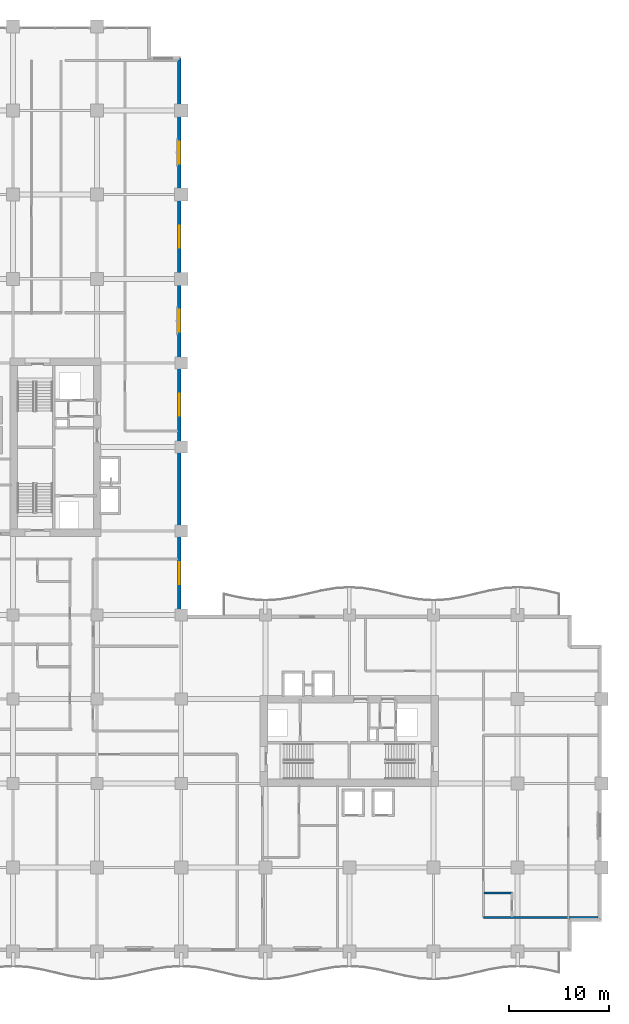
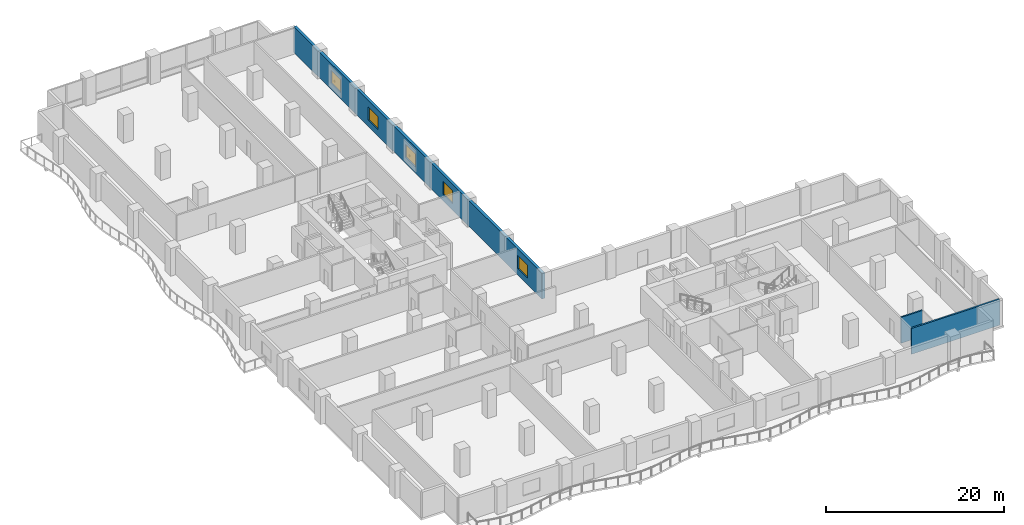
# One storey, part 12 of 22: 5 windows, 3 walls, 5 openings.
"""IFC4 building model written with IfcOpenShell, lengths in metres."""

from ifc_helpers import new_model, si_unit, direction, frame, frame_2d, origin, place, context, subcontext, project, spatial, rectangle, extrude, material, layer, layer_set, type_object, element, fill, save


model = new_model("IFC4")

# Units and contexts
model_context = context("Model", 3, precision=1e-05, world=origin(), true_north=direction((0.0, 1.0)))
body_context = subcontext(model_context, "Body", "Model", "MODEL_VIEW")
ifc_project = project(units=[si_unit("LENGTHUNIT", "METRE"), si_unit("AREAUNIT", "SQUARE_METRE"), si_unit("VOLUMEUNIT", "CUBIC_METRE"), si_unit("PLANEANGLEUNIT", "RADIAN"), si_unit("MASSUNIT", "GRAM", prefix="KILO")], contexts=[model_context])

# Site, building, storey
site_placement = place(None, origin())
site = spatial("IfcSite", under=ifc_project, at=site_placement, CompositionType="ELEMENT")
building_placement = place(site_placement, origin())
building = spatial("IfcBuilding", under=site, at=building_placement, Name="Koriwani Terraces Tower", CompositionType="ELEMENT")
storey_placement = place(building_placement, frame((0.0, 0.0, 141.800048828125)))
storey = spatial("IfcBuildingStorey", under=building, at=storey_placement, Name="L34", CompositionType="ELEMENT", Elevation=141.800048828125)

# Wall
ifc_material_1 = material(Name="Autoclaved Cellular Concrete Blockwork", Category="masonry")
ifc_layer_1 = layer(ifc_material_1, 0.219970703125, Name="Autoclaved Cellular Concrete Blockwork")
ifc_layer_set_1 = layer_set([ifc_layer_1], Name="Autoclaved Cellular Concrete Blockwork")
wall_type_1 = type_object("IfcWallType", Name="WALL_DEMISING_220", PredefinedType="PARTITIONING", material=ifc_layer_set_1)
wall_1_placement = place(storey_placement, frame((63.800048828125, 3.39990234375, 0.0), z_axis=(0.0, 0.0, 1.0), x_axis=(1.0, 0.0, 0.0)))
element("IfcWall", 1, at=wall_1_placement, inside=storey, type_object=wall_type_1, Name="L34 Interior Wall WGB-L34-SETIP-S", PredefinedType="PARTITIONING", context=body_context, shape_type="SweptSolid", body=[
    extrude(rectangle(XDim=11.419921875, YDim=0.219970703125, at=frame_2d((5.7099609375, 0.0))), origin(), (0.0, 0.0, 1.0), 3.550048828125),
])

# Wall, openings, windows
ifc_material_2 = material(Name="Concrete C50/60", Category="concrete")
ifc_layer_2 = layer(ifc_material_2, 0.35009765625, Name="Concrete C50/60")
ifc_layer_set_2 = layer_set([ifc_layer_2], Name="Concrete C50/60")
wall_type_2 = type_object("IfcWallType", Name="WALL_EXT_BRUTALIST_350", PredefinedType="STANDARD", material=ifc_layer_set_2)
wall_2_placement = place(storey_placement, frame((33.425048828125, 89.22509765625, 0.0), z_axis=(0.0, 0.0, 1.0), x_axis=(0.0, -1.0, 0.0)))
wall_2 = element("IfcWall", 2, at=wall_2_placement, inside=storey, type_object=wall_type_2, Name="L34 Fair-Faced Brutalist Exterior Wall (NW_IN)", PredefinedType="STANDARD", context=body_context, shape_type="SweptSolid", body=[
    extrude(rectangle(XDim=55.800048828125, YDim=0.35009765625, at=frame_2d((27.89990234375, 0.0))), origin(), (0.0, 0.0, 1.0), 3.550048828125),
])
opening_1_placement = place(wall_2_placement, frame((50.324951171875, 0.0, 0.85009765625)))
opening_1 = element("IfcOpeningElement", 3, at=opening_1_placement, cuts=wall_2, Name="Opening W-01", PredefinedType="OPENING", context=body_context, shape_type="SweptSolid", body=[
    extrude(rectangle(XDim=2.199951171875, YDim=1.800048828125, at=frame_2d((1.10009765625, 0.89990234375))), frame((0.0, 0.18505859375, 0.0), z_axis=(0.0, -1.0, 0.0), x_axis=(1.0, 0.0, 0.0)), (0.0, 0.0, 1.0), 0.3701171875),
])
opening_2_placement = place(wall_2_placement, frame((33.52490234375, 0.0, 0.85009765625)))
opening_2 = element("IfcOpeningElement", 4, at=opening_2_placement, cuts=wall_2, Name="Opening W-01", PredefinedType="OPENING", context=body_context, shape_type="SweptSolid", body=[
    extrude(rectangle(XDim=2.199951171875, YDim=1.800048828125, at=frame_2d((1.10009765625, 0.89990234375))), frame((0.0, 0.18505859375, 0.0), z_axis=(0.0, -1.0, 0.0), x_axis=(1.0, 0.0, 0.0)), (0.0, 0.0, 1.0), 0.3701171875),
])
opening_3_placement = place(wall_2_placement, frame((25.125, 0.0, 0.85009765625)))
opening_3 = element("IfcOpeningElement", 5, at=opening_3_placement, cuts=wall_2, Name="Opening W-01", PredefinedType="OPENING", context=body_context, shape_type="SweptSolid", body=[
    extrude(rectangle(XDim=2.199951171875, YDim=1.800048828125, at=frame_2d((1.10009765625, 0.89990234375))), frame((0.0, 0.18505859375, 0.0), z_axis=(0.0, -1.0, 0.0), x_axis=(1.0, 0.0, 0.0)), (0.0, 0.0, 1.0), 0.3701171875),
])
opening_4_placement = place(wall_2_placement, frame((16.72509765625, 0.0, 0.85009765625)))
opening_4 = element("IfcOpeningElement", 6, at=opening_4_placement, cuts=wall_2, Name="Opening W-01", PredefinedType="OPENING", context=body_context, shape_type="SweptSolid", body=[
    extrude(rectangle(XDim=2.199951171875, YDim=1.800048828125, at=frame_2d((1.10009765625, 0.89990234375))), frame((0.0, 0.18505859375, 0.0), z_axis=(0.0, -1.0, 0.0), x_axis=(1.0, 0.0, 0.0)), (0.0, 0.0, 1.0), 0.3701171875),
])
opening_5_placement = place(wall_2_placement, frame((8.324951171875, 0.0, 0.85009765625)))
opening_5 = element("IfcOpeningElement", 7, at=opening_5_placement, cuts=wall_2, Name="Opening W-01", PredefinedType="OPENING", context=body_context, shape_type="SweptSolid", body=[
    extrude(rectangle(XDim=2.199951171875, YDim=1.800048828125, at=frame_2d((1.10009765625, 0.89990234375))), frame((0.0, 0.18505859375, 0.0), z_axis=(0.0, -1.0, 0.0), x_axis=(1.0, 0.0, 0.0)), (0.0, 0.0, 1.0), 0.3701171875),
])
ifc_material_3 = material(Name="Tempered Laminated Low-E Glass", Category="glass")
window_type = type_object("IfcWindowType", Name="WIN_HOTEL_STD_2200X1800", PartitioningType="DOUBLE_PANEL_VERTICAL", PredefinedType="WINDOW", material=ifc_material_3)
window_1_placement = place(opening_1_placement, origin())
window_1 = element("IfcWindow", 8, at=window_1_placement, inside=storey, type_object=window_type, Name="L34 Exterior Window (NW_IN-2)", OverallHeight=1.800048828125, OverallWidth=2.199951171875, PartitioningType="SINGLE_PANEL", PredefinedType="WINDOW", context=body_context, shape_type="SweptSolid", body=[
    extrude(rectangle(XDim=2.199951171875, YDim=1.800048828125, at=frame_2d((1.10009765625, 0.89990234375))), frame((0.0, 0.030029296875, 0.0), z_axis=(0.0, -1.0, 0.0), x_axis=(1.0, 0.0, 0.0)), (0.0, 0.0, 1.0), 0.06005859375),
])
fill(opening_1, window_1)
window_2_placement = place(opening_2_placement, origin())
window_2 = element("IfcWindow", 9, at=window_2_placement, inside=storey, type_object=window_type, Name="L34 Exterior Window (NW_IN-8)", OverallHeight=1.800048828125, OverallWidth=2.199951171875, PartitioningType="SINGLE_PANEL", PredefinedType="WINDOW", context=body_context, shape_type="SweptSolid", body=[
    extrude(rectangle(XDim=2.199951171875, YDim=1.800048828125, at=frame_2d((1.10009765625, 0.89990234375))), frame((0.0, 0.030029296875, 0.0), z_axis=(0.0, -1.0, 0.0), x_axis=(1.0, 0.0, 0.0)), (0.0, 0.0, 1.0), 0.06005859375),
])
fill(opening_2, window_2)
window_3_placement = place(opening_3_placement, origin())
window_3 = element("IfcWindow", 10, at=window_3_placement, inside=storey, type_object=window_type, Name="L34 Exterior Window (NW_IN-11)", OverallHeight=1.800048828125, OverallWidth=2.199951171875, PartitioningType="SINGLE_PANEL", PredefinedType="WINDOW", context=body_context, shape_type="SweptSolid", body=[
    extrude(rectangle(XDim=2.199951171875, YDim=1.800048828125, at=frame_2d((1.10009765625, 0.89990234375))), frame((0.0, 0.030029296875, 0.0), z_axis=(0.0, -1.0, 0.0), x_axis=(1.0, 0.0, 0.0)), (0.0, 0.0, 1.0), 0.06005859375),
])
fill(opening_3, window_3)
window_4_placement = place(opening_4_placement, origin())
window_4 = element("IfcWindow", 11, at=window_4_placement, inside=storey, type_object=window_type, Name="L34 Exterior Window (NW_IN-14)", OverallHeight=1.800048828125, OverallWidth=2.199951171875, PartitioningType="SINGLE_PANEL", PredefinedType="WINDOW", context=body_context, shape_type="SweptSolid", body=[
    extrude(rectangle(XDim=2.199951171875, YDim=1.800048828125, at=frame_2d((1.10009765625, 0.89990234375))), frame((0.0, 0.030029296875, 0.0), z_axis=(0.0, -1.0, 0.0), x_axis=(1.0, 0.0, 0.0)), (0.0, 0.0, 1.0), 0.06005859375),
])
fill(opening_4, window_4)
window_5_placement = place(opening_5_placement, origin())
window_5 = element("IfcWindow", 12, at=window_5_placement, inside=storey, type_object=window_type, Name="L34 Exterior Window (NW_IN-17)", OverallHeight=1.800048828125, OverallWidth=2.199951171875, PartitioningType="SINGLE_PANEL", PredefinedType="WINDOW", context=body_context, shape_type="SweptSolid", body=[
    extrude(rectangle(XDim=2.199951171875, YDim=1.800048828125, at=frame_2d((1.10009765625, 0.89990234375))), frame((0.0, 0.030029296875, 0.0), z_axis=(0.0, -1.0, 0.0), x_axis=(1.0, 0.0, 0.0)), (0.0, 0.0, 1.0), 0.06005859375),
])
fill(opening_5, window_5)

# Wall
ifc_material_4 = material(Name="Fire-Rated Acoustic Gypsum Partition", Category="masonry")
ifc_layer_3 = layer(ifc_material_4, 0.179931640625, Name="Fire-Rated Acoustic Gypsum Partition")
ifc_layer_set_3 = layer_set([ifc_layer_3], Name="Fire-Rated Acoustic Gypsum Partition")
wall_type_3 = type_object("IfcWallType", Name="WALL_PLUMBING_180", PredefinedType="PLUMBINGWALL", material=ifc_layer_set_3)
wall_3_placement = place(storey_placement, frame((63.85009765625, 5.85009765625, 0.0), z_axis=(0.0, 0.0, 1.0), x_axis=(1.0, 0.0, 0.0)))
element("IfcWall", 13, at=wall_3_placement, inside=storey, type_object=wall_type_3, Name="L34 Interior Wall WGB-L34-SETIP-SV2", PredefinedType="PLUMBINGWALL", context=body_context, shape_type="SweptSolid", body=[
    extrude(rectangle(XDim=2.7998046875, YDim=0.179931640625, at=frame_2d((1.39990234375, 0.0))), origin(), (0.0, 0.0, 1.0), 3.550048828125),
])

save(model, "model.ifc")
